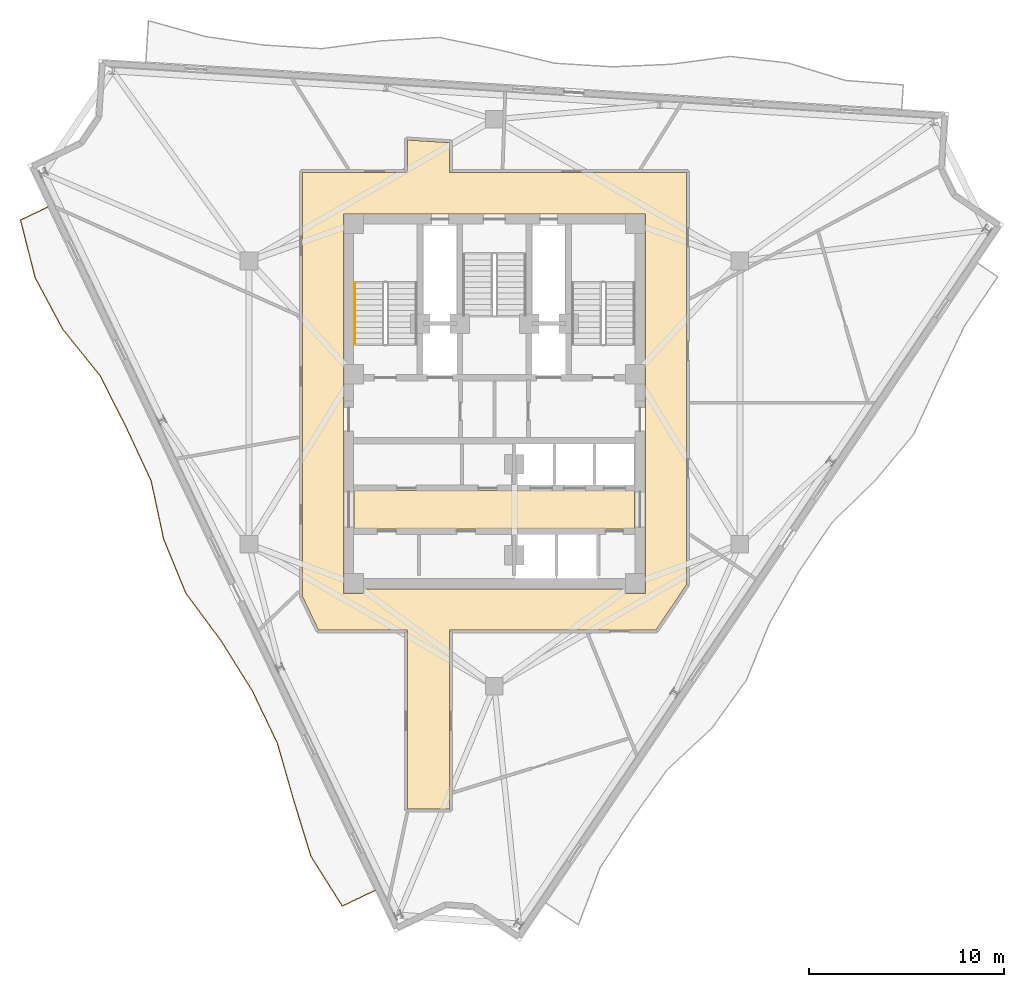
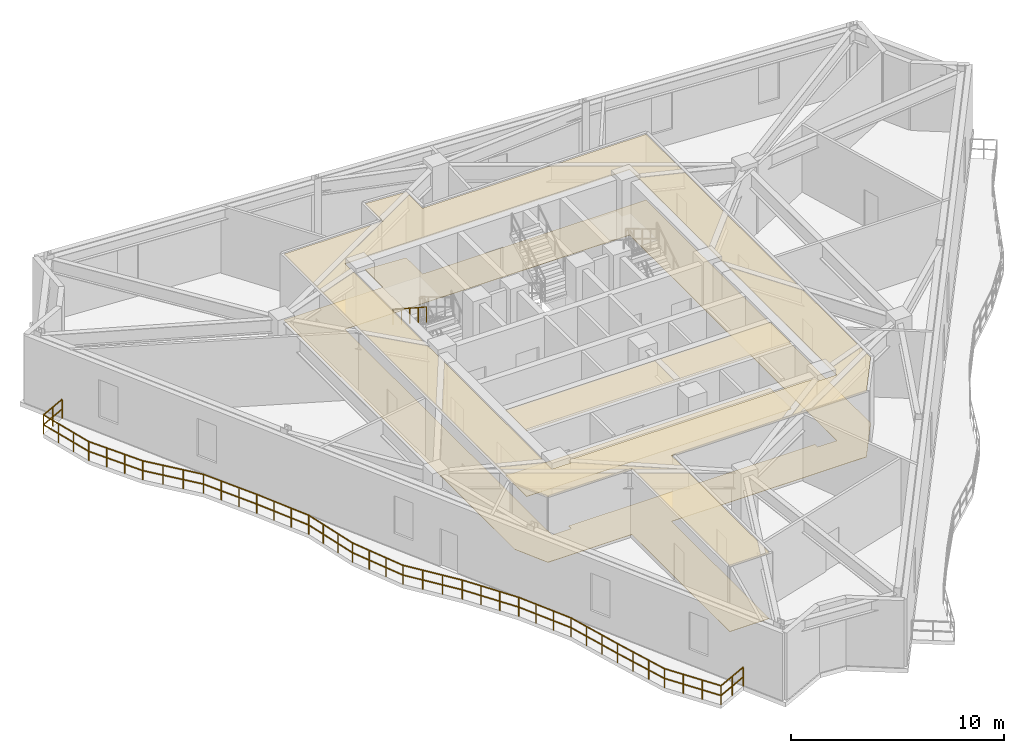
# One storey, part 9 of 11: 4 coverings, 2 railings.
"""IFC4 building model written with IfcOpenShell, lengths in metres."""

from ifc_helpers import new_model, si_unit, direction, frame, origin, origin_2d, place, context, subcontext, project, spatial, polyline, rectangle, outline, extrude, material, layer, layer_set, type_object, element, save


model = new_model("IFC4")

# Units and contexts
model_context = context("Model", 3, precision=1e-05, world=origin(), true_north=direction((0.0, 1.0)))
body_context = subcontext(model_context, "Body", "Model", "MODEL_VIEW")
ifc_project = project(units=[si_unit("LENGTHUNIT", "METRE"), si_unit("AREAUNIT", "SQUARE_METRE"), si_unit("VOLUMEUNIT", "CUBIC_METRE"), si_unit("PLANEANGLEUNIT", "RADIAN"), si_unit("MASSUNIT", "GRAM", prefix="KILO")], contexts=[model_context])

# Site, building, storey
site_placement = place(None, origin())
site = spatial("IfcSite", under=ifc_project, at=site_placement, CompositionType="ELEMENT")
building_placement = place(site_placement, origin())
building = spatial("IfcBuilding", under=site, at=building_placement, Name="Apsidion Concourse Tower", CompositionType="ELEMENT")
storey_placement = place(building_placement, frame((0.0, 0.0, 306.5)))
storey = spatial("IfcBuildingStorey", under=building, at=storey_placement, Name="L72", CompositionType="ELEMENT", Elevation=306.5)

# Coverings
ifc_material_1 = material(Name="Acoustic mineral fibre ceiling")
ifc_layer_1 = layer(ifc_material_1, 0.0400390625)
ifc_layer_set_1 = layer_set([ifc_layer_1], Name="Acoustic mineral fibre ceiling")
covering_type_1 = type_object("IfcCoveringType", Name="COV-CEIL-40", PredefinedType="CEILING", material=ifc_layer_set_1)
covering_1_placement = place(storey_placement, frame((0.0, 0.0, 3.75)))
element("IfcCovering", 1, at=covering_1_placement, inside=storey, type_object=covering_type_1, Name="L72 Acoustic Ceiling Grid 1", PredefinedType="CEILING", context=body_context, shape_type="SweptSolid", body=[
    extrude(outline(polyline([(-7.179931640625, -6.449951171875), (-7.179931640625, -4.47998046875), (7.179931640625, -4.47998046875), (7.179931640625, -6.449951171875), (-7.179931640625, -6.449951171875)])), origin(), (0.0, 0.0, 1.0), 0.0400390625),
])
covering_2_placement = place(storey_placement, frame((0.0, 0.0, 3.75)))
element("IfcCovering", 2, at=covering_2_placement, inside=storey, type_object=covering_type_1, Name="L72 Acoustic Ceiling Grid 2", PredefinedType="CEILING", context=body_context, shape_type="SweptSolid", body=[
    extrude(outline(polyline([(-9.006103515625, -11.6201171875), (-9.820068359375, -9.9189453125), (-9.820068359375, 11.77001953125), (-4.449951171875, 11.77001953125), (-4.449951171875, 13.4423828125), (-2.300048828125, 13.30810546875), (-2.300048828125, 11.77001953125), (9.820068359375, 11.77001953125), (9.820068359375, -9.323974609375), (8.271240234375, -11.6201171875), (-2.300048828125, -11.6201171875), (-2.300048828125, -20.800048828125), (-4.449951171875, -20.800048828125), (-4.449951171875, -11.6201171875), (-9.006103515625, -11.6201171875)]), holes=[polyline([(7.699951171875, 9.669921875), (6.699951171875, 9.669921875), (-2.300048828125, 9.669921875), (-4.449951171875, 9.669921875), (-6.699951171875, 9.669921875), (-7.699951171875, 9.669921875), (-7.719970703125, 9.669921875), (-7.719970703125, 9.64990234375), (-7.719970703125, 8.64990234375), (-7.719970703125, 1.949951171875), (-7.719970703125, 0.949951171875), (-7.719970703125, -8.75), (-7.719970703125, -9.52001953125), (-7.719970703125, -9.75), (-7.719970703125, -9.751953125), (-7.719482421875, -9.75390625), (-7.718994140625, -9.755859375), (-7.718505859375, -9.7578125), (-7.717529296875, -9.759521484375), (-7.716552734375, -9.760986328125), (-7.715576171875, -9.7626953125), (-7.714111328125, -9.76416015625), (-7.712646484375, -9.765380859375), (-7.711181640625, -9.7666015625), (-7.70947265625, -9.767578125), (-7.707763671875, -9.7685546875), (-7.705810546875, -9.76904296875), (-7.703857421875, -9.76953125), (-7.701904296875, -9.77001953125), (-7.699951171875, -9.77001953125), (-6.699951171875, -9.77001953125), (-6.697998046875, -9.77001953125), (-6.696044921875, -9.76953125), (-6.694091796875, -9.76904296875), (-6.6923828125, -9.7685546875), (-6.690673828125, -9.767578125), (-6.68896484375, -9.7666015625), (-6.687255859375, -9.765380859375), (-6.685791015625, -9.76416015625), (-6.6845703125, -9.7626953125), (-6.683349609375, -9.760986328125), (-6.682373046875, -9.759521484375), (-6.681396484375, -9.7578125), (-6.680908203125, -9.755859375), (-6.680419921875, -9.75390625), (-6.68017578125, -9.751953125), (-6.679931640625, -9.75), (-6.679931640625, -9.52001953125), (-4.449951171875, -9.52001953125), (-2.300048828125, -9.52001953125), (6.679931640625, -9.52001953125), (6.679931640625, -9.75), (6.68017578125, -9.751953125), (6.680419921875, -9.75390625), (6.680908203125, -9.755859375), (6.681396484375, -9.7578125), (6.682373046875, -9.759521484375), (6.683349609375, -9.760986328125), (6.6845703125, -9.7626953125), (6.685791015625, -9.76416015625), (6.687255859375, -9.765380859375), (6.68896484375, -9.7666015625), (6.690673828125, -9.767578125), (6.6923828125, -9.7685546875), (6.694091796875, -9.76904296875), (6.696044921875, -9.76953125), (6.697998046875, -9.77001953125), (6.699951171875, -9.77001953125), (7.699951171875, -9.77001953125), (7.701904296875, -9.77001953125), (7.703857421875, -9.76953125), (7.705810546875, -9.76904296875), (7.707763671875, -9.7685546875), (7.70947265625, -9.767578125), (7.711181640625, -9.7666015625), (7.712646484375, -9.765380859375), (7.714111328125, -9.76416015625), (7.715576171875, -9.7626953125), (7.716552734375, -9.760986328125), (7.717529296875, -9.759521484375), (7.718505859375, -9.7578125), (7.718994140625, -9.755859375), (7.719482421875, -9.75390625), (7.719970703125, -9.751953125), (7.719970703125, -9.75), (7.719970703125, -9.52001953125), (7.719970703125, -8.75), (7.719970703125, 0.949951171875), (7.719970703125, 1.949951171875), (7.719970703125, 8.64990234375), (7.719970703125, 9.64990234375), (7.719970703125, 9.669921875), (7.699951171875, 9.669921875)])]), origin(), (0.0, 0.0, 1.0), 0.0400390625),
])
ifc_material_2 = material(Name="Honed travertine floor finish", Category="masonry")
ifc_layer_2 = layer(ifc_material_2, 0.02001953125)
ifc_layer_set_2 = layer_set([ifc_layer_2], Name="Honed travertine floor finish")
covering_type_2 = type_object("IfcCoveringType", Name="COV-FLOR-20", PredefinedType="FLOORING", material=ifc_layer_set_2)
covering_3_placement = place(storey_placement, origin())
element("IfcCovering", 3, at=covering_3_placement, inside=storey, type_object=covering_type_2, Name="L72 Honed Travertine Floor Finish 1", PredefinedType="FLOORING", context=body_context, shape_type="SweptSolid", body=[
    extrude(outline(polyline([(-7.179931640625, -6.449951171875), (-7.179931640625, -4.47998046875), (7.179931640625, -4.47998046875), (7.179931640625, -6.449951171875), (-7.179931640625, -6.449951171875)])), origin(), (0.0, 0.0, 1.0), 0.02001953125),
])
covering_4_placement = place(storey_placement, origin())
element("IfcCovering", 4, at=covering_4_placement, inside=storey, type_object=covering_type_2, Name="L72 Honed Travertine Floor Finish 2", PredefinedType="FLOORING", context=body_context, shape_type="SweptSolid", body=[
    extrude(outline(polyline([(-9.006103515625, -11.6201171875), (-9.820068359375, -9.9189453125), (-9.820068359375, 11.77001953125), (-4.449951171875, 11.77001953125), (-4.449951171875, 13.4423828125), (-2.300048828125, 13.30810546875), (-2.300048828125, 11.77001953125), (9.820068359375, 11.77001953125), (9.820068359375, -9.323974609375), (8.271240234375, -11.6201171875), (-2.300048828125, -11.6201171875), (-2.300048828125, -20.800048828125), (-4.449951171875, -20.800048828125), (-4.449951171875, -11.6201171875), (-9.006103515625, -11.6201171875)]), holes=[polyline([(7.699951171875, 9.669921875), (6.699951171875, 9.669921875), (-2.300048828125, 9.669921875), (-4.449951171875, 9.669921875), (-6.699951171875, 9.669921875), (-7.699951171875, 9.669921875), (-7.719970703125, 9.669921875), (-7.719970703125, 9.64990234375), (-7.719970703125, 8.64990234375), (-7.719970703125, 1.949951171875), (-7.719970703125, 0.949951171875), (-7.719970703125, -8.75), (-7.719970703125, -9.52001953125), (-7.719970703125, -9.75), (-7.719970703125, -9.751953125), (-7.719482421875, -9.75390625), (-7.718994140625, -9.755859375), (-7.718505859375, -9.7578125), (-7.717529296875, -9.759521484375), (-7.716552734375, -9.760986328125), (-7.715576171875, -9.7626953125), (-7.714111328125, -9.76416015625), (-7.712646484375, -9.765380859375), (-7.711181640625, -9.7666015625), (-7.70947265625, -9.767578125), (-7.707763671875, -9.7685546875), (-7.705810546875, -9.76904296875), (-7.703857421875, -9.76953125), (-7.701904296875, -9.77001953125), (-7.699951171875, -9.77001953125), (-6.699951171875, -9.77001953125), (-6.697998046875, -9.77001953125), (-6.696044921875, -9.76953125), (-6.694091796875, -9.76904296875), (-6.6923828125, -9.7685546875), (-6.690673828125, -9.767578125), (-6.68896484375, -9.7666015625), (-6.687255859375, -9.765380859375), (-6.685791015625, -9.76416015625), (-6.6845703125, -9.7626953125), (-6.683349609375, -9.760986328125), (-6.682373046875, -9.759521484375), (-6.681396484375, -9.7578125), (-6.680908203125, -9.755859375), (-6.680419921875, -9.75390625), (-6.68017578125, -9.751953125), (-6.679931640625, -9.75), (-6.679931640625, -9.52001953125), (-4.449951171875, -9.52001953125), (-2.300048828125, -9.52001953125), (6.679931640625, -9.52001953125), (6.679931640625, -9.75), (6.68017578125, -9.751953125), (6.680419921875, -9.75390625), (6.680908203125, -9.755859375), (6.681396484375, -9.7578125), (6.682373046875, -9.759521484375), (6.683349609375, -9.760986328125), (6.6845703125, -9.7626953125), (6.685791015625, -9.76416015625), (6.687255859375, -9.765380859375), (6.68896484375, -9.7666015625), (6.690673828125, -9.767578125), (6.6923828125, -9.7685546875), (6.694091796875, -9.76904296875), (6.696044921875, -9.76953125), (6.697998046875, -9.77001953125), (6.699951171875, -9.77001953125), (7.699951171875, -9.77001953125), (7.701904296875, -9.77001953125), (7.703857421875, -9.76953125), (7.705810546875, -9.76904296875), (7.707763671875, -9.7685546875), (7.70947265625, -9.767578125), (7.711181640625, -9.7666015625), (7.712646484375, -9.765380859375), (7.714111328125, -9.76416015625), (7.715576171875, -9.7626953125), (7.716552734375, -9.760986328125), (7.717529296875, -9.759521484375), (7.718505859375, -9.7578125), (7.718994140625, -9.755859375), (7.719482421875, -9.75390625), (7.719970703125, -9.751953125), (7.719970703125, -9.75), (7.719970703125, -9.52001953125), (7.719970703125, -8.75), (7.719970703125, 0.949951171875), (7.719970703125, 1.949951171875), (7.719970703125, 8.64990234375), (7.719970703125, 9.64990234375), (7.719970703125, 9.669921875), (7.699951171875, 9.669921875)])]), origin(), (0.0, 0.0, 1.0), 0.02001953125),
])

# Railings
ifc_material_3 = material(Name="Brushed stainless steel 316", Category="steel")
railing_type_1 = type_object("IfcRailingType", Name="RL-BAL-1120", PredefinedType="BALUSTRADE", material=ifc_material_3)
railing_1_placement = place(storey_placement, frame((-6.1181640625, -24.96630859375, 0.0)))
element("IfcRailing", 5, at=railing_1_placement, inside=storey, type_object=railing_type_1, Name="L72 Face 1 Rippling Balcony Balustrade", PredefinedType="BALUSTRADE", context=body_context, shape_type="SweptSolid", body=[
    extrude(rectangle(XDim=0.048095703125, YDim=0.048095703125, at=origin_2d()), frame((0.0, 0.0, 1.09619140625), z_axis=(-0.902105179039, -0.431516217483, 0.0), x_axis=(0.431516217483, -0.902105179039, 0.0)), (0.0, 0.0, 1.0), 1.849609375),
    extrude(rectangle(XDim=0.048095703125, YDim=0.048095703125, at=origin_2d()), frame((0.0, 0.0, 0.5361328125), z_axis=(-0.902105179039, -0.431516217483, 0.0), x_axis=(0.431516217483, -0.902105179039, 0.0)), (0.0, 0.0, 1.0), 1.849609375),
    extrude(rectangle(XDim=0.048095703125, YDim=0.048095703125, at=origin_2d()), frame((-1.66845703125, -0.798095703125, 1.09619140625), z_axis=(-0.533283218557, 0.84593676407, 0.0), x_axis=(-0.84593676407, -0.533283218557, 0.0)), (0.0, 0.0, 1.0), 3.003173828125),
    extrude(rectangle(XDim=0.048095703125, YDim=0.048095703125, at=origin_2d()), frame((-1.66845703125, -0.798095703125, 0.5361328125), z_axis=(-0.533283218557, 0.84593676407, 0.0), x_axis=(-0.84593676407, -0.533283218557, 0.0)), (0.0, 0.0, 1.0), 3.003173828125),
    extrude(rectangle(XDim=0.048095703125, YDim=0.048095703125, at=origin_2d()), frame((-3.27001953125, 1.742431640625, 1.09619140625), z_axis=(-0.29418824351, 0.955747496665, 0.0), x_axis=(-0.955747496665, -0.29418824351, 0.0)), (0.0, 0.0, 1.0), 3.015869140625),
    extrude(rectangle(XDim=0.048095703125, YDim=0.048095703125, at=origin_2d()), frame((-3.27001953125, 1.742431640625, 0.5361328125), z_axis=(-0.29418824351, 0.955747496665, 0.0), x_axis=(-0.955747496665, -0.29418824351, 0.0)), (0.0, 0.0, 1.0), 3.015869140625),
    extrude(rectangle(XDim=0.048095703125, YDim=0.048095703125, at=origin_2d()), frame((-4.1572265625, 4.624755859375, 1.09619140625), z_axis=(-0.275243307136, 0.961374600183, 0.0), x_axis=(-0.961374600183, -0.275243307136, 0.0)), (0.0, 0.0, 1.0), 3.025634765625),
    extrude(rectangle(XDim=0.048095703125, YDim=0.048095703125, at=origin_2d()), frame((-4.1572265625, 4.624755859375, 0.5361328125), z_axis=(-0.275243307136, 0.961374600183, 0.0), x_axis=(-0.961374600183, -0.275243307136, 0.0)), (0.0, 0.0, 1.0), 3.025634765625),
    extrude(rectangle(XDim=0.048095703125, YDim=0.048095703125, at=origin_2d()), frame((-4.989990234375, 7.533447265625, 1.09619140625), z_axis=(-0.431562646754, 0.902082968428, 0.0), x_axis=(-0.902082968428, -0.431562646754, 0.0)), (0.0, 0.0, 1.0), 2.98291015625),
    extrude(rectangle(XDim=0.048095703125, YDim=0.048095703125, at=origin_2d()), frame((-4.989990234375, 7.533447265625, 0.5361328125), z_axis=(-0.431562646754, 0.902082968428, 0.0), x_axis=(-0.902082968428, -0.431562646754, 0.0)), (0.0, 0.0, 1.0), 2.98291015625),
    extrude(rectangle(XDim=0.048095703125, YDim=0.048095703125, at=origin_2d()), frame((-6.27734375, 10.224365234375, 1.09619140625), z_axis=(-0.529450545118, 0.84834080432, 0.0), x_axis=(-0.84834080432, -0.529450545118, 0.0)), (0.0, 0.0, 1.0), 3.001953125),
    extrude(rectangle(XDim=0.048095703125, YDim=0.048095703125, at=origin_2d()), frame((-6.27734375, 10.224365234375, 0.5361328125), z_axis=(-0.529450545118, 0.84834080432, 0.0), x_axis=(-0.84834080432, -0.529450545118, 0.0)), (0.0, 0.0, 1.0), 3.001953125),
    extrude(rectangle(XDim=0.048095703125, YDim=0.048095703125, at=origin_2d()), frame((-7.86669921875, 12.77099609375, 1.09619140625), z_axis=(-0.595025755714, 0.803706631823, 0.0), x_axis=(-0.803706631823, -0.595025755714, 0.0)), (0.0, 0.0, 1.0), 3.038330078125),
    extrude(rectangle(XDim=0.048095703125, YDim=0.048095703125, at=origin_2d()), frame((-7.86669921875, 12.77099609375, 0.5361328125), z_axis=(-0.595025755714, 0.803706631823, 0.0), x_axis=(-0.803706631823, -0.595025755714, 0.0)), (0.0, 0.0, 1.0), 3.038330078125),
    extrude(rectangle(XDim=0.048095703125, YDim=0.048095703125, at=origin_2d()), frame((-9.674560546875, 15.212890625, 1.09619140625), z_axis=(-0.379463102391, 0.92520687088, 0.0), x_axis=(-0.92520687088, -0.379463102391, 0.0)), (0.0, 0.0, 1.0), 2.98779296875),
    extrude(rectangle(XDim=0.048095703125, YDim=0.048095703125, at=origin_2d()), frame((-9.674560546875, 15.212890625, 0.5361328125), z_axis=(-0.379463102391, 0.92520687088, 0.0), x_axis=(-0.92520687088, -0.379463102391, 0.0)), (0.0, 0.0, 1.0), 2.98779296875),
    extrude(rectangle(XDim=0.048095703125, YDim=0.048095703125, at=origin_2d()), frame((-10.808349609375, 17.977294921875, 1.09619140625), z_axis=(-0.211143664027, 0.977455038936, 0.0), x_axis=(-0.977455038936, -0.211143664027, 0.0)), (0.0, 0.0, 1.0), 3.06640625),
    extrude(rectangle(XDim=0.048095703125, YDim=0.048095703125, at=origin_2d()), frame((-10.808349609375, 17.977294921875, 0.5361328125), z_axis=(-0.211143664027, 0.977455038936, 0.0), x_axis=(-0.977455038936, -0.211143664027, 0.0)), (0.0, 0.0, 1.0), 3.06640625),
    extrude(rectangle(XDim=0.048095703125, YDim=0.048095703125, at=origin_2d()), frame((-11.455810546875, 20.974609375, 1.09619140625), z_axis=(-0.422060893145, 0.906567483686, 0.0), x_axis=(-0.906567483686, -0.422060893145, 0.0)), (0.0, 0.0, 1.0), 2.983154296875),
    extrude(rectangle(XDim=0.048095703125, YDim=0.048095703125, at=origin_2d()), frame((-11.455810546875, 20.974609375, 0.5361328125), z_axis=(-0.422060893145, 0.906567483686, 0.0), x_axis=(-0.906567483686, -0.422060893145, 0.0)), (0.0, 0.0, 1.0), 2.983154296875),
    extrude(rectangle(XDim=0.048095703125, YDim=0.048095703125, at=origin_2d()), frame((-12.71484375, 23.678955078125, 1.09619140625), z_axis=(-0.450614307317, 0.892718738484, 0.0), x_axis=(-0.892718738484, -0.450614307317, 0.0)), (0.0, 0.0, 1.0), 2.983642578125),
    extrude(rectangle(XDim=0.048095703125, YDim=0.048095703125, at=origin_2d()), frame((-12.71484375, 23.678955078125, 0.5361328125), z_axis=(-0.450614307317, 0.892718738484, 0.0), x_axis=(-0.892718738484, -0.450614307317, 0.0)), (0.0, 0.0, 1.0), 2.983642578125),
    extrude(rectangle(XDim=0.048095703125, YDim=0.048095703125, at=origin_2d()), frame((-14.059326171875, 26.342529296875, 1.09619140625), z_axis=(-0.6268396037, 0.779148324283, 0.0), x_axis=(-0.779148324283, -0.6268396037, 0.0)), (0.0, 0.0, 1.0), 3.064697265625),
    extrude(rectangle(XDim=0.048095703125, YDim=0.048095703125, at=origin_2d()), frame((-14.059326171875, 26.342529296875, 0.5361328125), z_axis=(-0.6268396037, 0.779148324283, 0.0), x_axis=(-0.779148324283, -0.6268396037, 0.0)), (0.0, 0.0, 1.0), 3.064697265625),
    extrude(rectangle(XDim=0.048095703125, YDim=0.048095703125, at=origin_2d()), frame((-15.98046875, 28.73046875, 1.09619140625), z_axis=(-0.471411259094, 0.881913501881, 0.0), x_axis=(-0.881913501881, -0.471411259094, 0.0)), (0.0, 0.0, 1.0), 2.986083984375),
    extrude(rectangle(XDim=0.048095703125, YDim=0.048095703125, at=origin_2d()), frame((-15.98046875, 28.73046875, 0.5361328125), z_axis=(-0.471411259094, 0.881913501881, 0.0), x_axis=(-0.881913501881, -0.471411259094, 0.0)), (0.0, 0.0, 1.0), 2.986083984375),
    extrude(rectangle(XDim=0.048095703125, YDim=0.048095703125, at=origin_2d()), frame((-17.38818359375, 31.364013671875, 1.09619140625), z_axis=(-0.245630914754, 0.969363427058, 0.0), x_axis=(-0.969363427058, -0.245630914754, 0.0)), (0.0, 0.0, 1.0), 3.04248046875),
    extrude(rectangle(XDim=0.048095703125, YDim=0.048095703125, at=origin_2d()), frame((-17.38818359375, 31.364013671875, 0.5361328125), z_axis=(-0.245630914754, 0.969363427058, 0.0), x_axis=(-0.969363427058, -0.245630914754, 0.0)), (0.0, 0.0, 1.0), 3.04248046875),
    extrude(rectangle(XDim=0.048095703125, YDim=0.048095703125, at=origin_2d()), frame((-18.135498046875, 34.313232421875, 1.09619140625), z_axis=(0.902072903897, 0.431583683722, 0.0), x_axis=(-0.431583683722, 0.902072903897, 0.0)), (0.0, 0.0, 1.0), 1.550048828125),
    extrude(rectangle(XDim=0.048095703125, YDim=0.048095703125, at=origin_2d()), frame((-18.135498046875, 34.313232421875, 0.5361328125), z_axis=(0.902072903897, 0.431583683722, 0.0), x_axis=(-0.431583683722, 0.902072903897, 0.0)), (0.0, 0.0, 1.0), 1.550048828125),
    extrude(rectangle(XDim=0.0419921875, YDim=0.0419921875, at=origin_2d()), origin(), (0.0, 0.0, 1.0), 1.072021484375),
    extrude(rectangle(XDim=0.0419921875, YDim=0.0419921875, at=origin_2d()), frame((-0.834228515625, -0.39892578125, 0.0)), (0.0, 0.0, 1.0), 1.072021484375),
    extrude(rectangle(XDim=0.0419921875, YDim=0.0419921875, at=origin_2d()), frame((-1.66845703125, -0.798095703125, 0.0)), (0.0, 0.0, 1.0), 1.072021484375),
    extrude(rectangle(XDim=0.0419921875, YDim=0.0419921875, at=origin_2d()), frame((-2.202392578125, 0.048828125, 0.0)), (0.0, 0.0, 1.0), 1.072021484375),
    extrude(rectangle(XDim=0.0419921875, YDim=0.0419921875, at=origin_2d()), frame((-2.736083984375, 0.8955078125, 0.0)), (0.0, 0.0, 1.0), 1.072021484375),
    extrude(rectangle(XDim=0.0419921875, YDim=0.0419921875, at=origin_2d()), frame((-3.27001953125, 1.742431640625, 0.0)), (0.0, 0.0, 1.0), 1.072021484375),
    extrude(rectangle(XDim=0.0419921875, YDim=0.0419921875, at=origin_2d()), frame((-3.565673828125, 2.703125, 0.0)), (0.0, 0.0, 1.0), 1.072021484375),
    extrude(rectangle(XDim=0.0419921875, YDim=0.0419921875, at=origin_2d()), frame((-3.861572265625, 3.6640625, 0.0)), (0.0, 0.0, 1.0), 1.072021484375),
    extrude(rectangle(XDim=0.0419921875, YDim=0.0419921875, at=origin_2d()), frame((-4.1572265625, 4.624755859375, 0.0)), (0.0, 0.0, 1.0), 1.072021484375),
    extrude(rectangle(XDim=0.0419921875, YDim=0.0419921875, at=origin_2d()), frame((-4.434814453125, 5.59423828125, 0.0)), (0.0, 0.0, 1.0), 1.072021484375),
    extrude(rectangle(XDim=0.0419921875, YDim=0.0419921875, at=origin_2d()), frame((-4.71240234375, 6.56396484375, 0.0)), (0.0, 0.0, 1.0), 1.072021484375),
    extrude(rectangle(XDim=0.0419921875, YDim=0.0419921875, at=origin_2d()), frame((-4.989990234375, 7.533447265625, 0.0)), (0.0, 0.0, 1.0), 1.072021484375),
    extrude(rectangle(XDim=0.0419921875, YDim=0.0419921875, at=origin_2d()), frame((-5.419189453125, 8.430419921875, 0.0)), (0.0, 0.0, 1.0), 1.072021484375),
    extrude(rectangle(XDim=0.0419921875, YDim=0.0419921875, at=origin_2d()), frame((-5.84814453125, 9.327392578125, 0.0)), (0.0, 0.0, 1.0), 1.072021484375),
    extrude(rectangle(XDim=0.0419921875, YDim=0.0419921875, at=origin_2d()), frame((-6.27734375, 10.224365234375, 0.0)), (0.0, 0.0, 1.0), 1.072021484375),
    extrude(rectangle(XDim=0.0419921875, YDim=0.0419921875, at=origin_2d()), frame((-6.80712890625, 11.0732421875, 0.0)), (0.0, 0.0, 1.0), 1.072021484375),
    extrude(rectangle(XDim=0.0419921875, YDim=0.0419921875, at=origin_2d()), frame((-7.3369140625, 11.922119140625, 0.0)), (0.0, 0.0, 1.0), 1.072021484375),
    extrude(rectangle(XDim=0.0419921875, YDim=0.0419921875, at=origin_2d()), frame((-7.86669921875, 12.77099609375, 0.0)), (0.0, 0.0, 1.0), 1.072021484375),
    extrude(rectangle(XDim=0.0419921875, YDim=0.0419921875, at=origin_2d()), frame((-8.46923828125, 13.5849609375, 0.0)), (0.0, 0.0, 1.0), 1.072021484375),
    extrude(rectangle(XDim=0.0419921875, YDim=0.0419921875, at=origin_2d()), frame((-9.072021484375, 14.39892578125, 0.0)), (0.0, 0.0, 1.0), 1.072021484375),
    extrude(rectangle(XDim=0.0419921875, YDim=0.0419921875, at=origin_2d()), frame((-9.674560546875, 15.212890625, 0.0)), (0.0, 0.0, 1.0), 1.072021484375),
    extrude(rectangle(XDim=0.0419921875, YDim=0.0419921875, at=origin_2d()), frame((-10.052490234375, 16.13427734375, 0.0)), (0.0, 0.0, 1.0), 1.072021484375),
    extrude(rectangle(XDim=0.0419921875, YDim=0.0419921875, at=origin_2d()), frame((-10.430419921875, 17.055908203125, 0.0)), (0.0, 0.0, 1.0), 1.072021484375),
    extrude(rectangle(XDim=0.0419921875, YDim=0.0419921875, at=origin_2d()), frame((-10.808349609375, 17.977294921875, 0.0)), (0.0, 0.0, 1.0), 1.072021484375),
    extrude(rectangle(XDim=0.0419921875, YDim=0.0419921875, at=origin_2d()), frame((-11.024169921875, 18.976318359375, 0.0)), (0.0, 0.0, 1.0), 1.072021484375),
    extrude(rectangle(XDim=0.0419921875, YDim=0.0419921875, at=origin_2d()), frame((-11.239990234375, 19.9755859375, 0.0)), (0.0, 0.0, 1.0), 1.072021484375),
    extrude(rectangle(XDim=0.0419921875, YDim=0.0419921875, at=origin_2d()), frame((-11.455810546875, 20.974609375, 0.0)), (0.0, 0.0, 1.0), 1.072021484375),
    extrude(rectangle(XDim=0.0419921875, YDim=0.0419921875, at=origin_2d()), frame((-11.87548828125, 21.8759765625, 0.0)), (0.0, 0.0, 1.0), 1.072021484375),
    extrude(rectangle(XDim=0.0419921875, YDim=0.0419921875, at=origin_2d()), frame((-12.295166015625, 22.777587890625, 0.0)), (0.0, 0.0, 1.0), 1.072021484375),
    extrude(rectangle(XDim=0.0419921875, YDim=0.0419921875, at=origin_2d()), frame((-12.71484375, 23.678955078125, 0.0)), (0.0, 0.0, 1.0), 1.072021484375),
    extrude(rectangle(XDim=0.0419921875, YDim=0.0419921875, at=origin_2d()), frame((-13.1630859375, 24.56689453125, 0.0)), (0.0, 0.0, 1.0), 1.072021484375),
    extrude(rectangle(XDim=0.0419921875, YDim=0.0419921875, at=origin_2d()), frame((-13.611083984375, 25.45458984375, 0.0)), (0.0, 0.0, 1.0), 1.072021484375),
    extrude(rectangle(XDim=0.0419921875, YDim=0.0419921875, at=origin_2d()), frame((-14.059326171875, 26.342529296875, 0.0)), (0.0, 0.0, 1.0), 1.072021484375),
    extrude(rectangle(XDim=0.0419921875, YDim=0.0419921875, at=origin_2d()), frame((-14.69970703125, 27.138427734375, 0.0)), (0.0, 0.0, 1.0), 1.072021484375),
    extrude(rectangle(XDim=0.0419921875, YDim=0.0419921875, at=origin_2d()), frame((-15.340087890625, 27.9345703125, 0.0)), (0.0, 0.0, 1.0), 1.072021484375),
    extrude(rectangle(XDim=0.0419921875, YDim=0.0419921875, at=origin_2d()), frame((-15.98046875, 28.73046875, 0.0)), (0.0, 0.0, 1.0), 1.072021484375),
    extrude(rectangle(XDim=0.0419921875, YDim=0.0419921875, at=origin_2d()), frame((-16.44970703125, 29.6083984375, 0.0)), (0.0, 0.0, 1.0), 1.072021484375),
    extrude(rectangle(XDim=0.0419921875, YDim=0.0419921875, at=origin_2d()), frame((-16.9189453125, 30.486083984375, 0.0)), (0.0, 0.0, 1.0), 1.072021484375),
    extrude(rectangle(XDim=0.0419921875, YDim=0.0419921875, at=origin_2d()), frame((-17.38818359375, 31.364013671875, 0.0)), (0.0, 0.0, 1.0), 1.072021484375),
    extrude(rectangle(XDim=0.0419921875, YDim=0.0419921875, at=origin_2d()), frame((-17.63720703125, 32.34716796875, 0.0)), (0.0, 0.0, 1.0), 1.072021484375),
    extrude(rectangle(XDim=0.0419921875, YDim=0.0419921875, at=origin_2d()), frame((-17.886474609375, 33.330078125, 0.0)), (0.0, 0.0, 1.0), 1.072021484375),
    extrude(rectangle(XDim=0.0419921875, YDim=0.0419921875, at=origin_2d()), frame((-18.135498046875, 34.313232421875, 0.0)), (0.0, 0.0, 1.0), 1.072021484375),
    extrude(rectangle(XDim=0.0419921875, YDim=0.0419921875, at=origin_2d()), frame((-17.4365234375, 34.647705078125, 0.0)), (0.0, 0.0, 1.0), 1.072021484375),
    extrude(rectangle(XDim=0.0419921875, YDim=0.0419921875, at=origin_2d()), frame((-16.7373046875, 34.982177734375, 0.0)), (0.0, 0.0, 1.0), 1.072021484375),
])
railing_type_2 = type_object("IfcRailingType", Name="RL-HAND-900", PredefinedType="HANDRAIL", material=ifc_material_3)
railing_2_placement = place(storey_placement, frame((-7.14990234375, 6.135009765625, 2.220947265625)))
element("IfcRailing", 6, at=railing_2_placement, inside=storey, type_object=railing_type_2, Name="L72 ST1 stair handrail 2", PredefinedType="HANDRAIL", context=body_context, shape_type="SweptSolid", body=[
    extrude(rectangle(XDim=0.048095703125, YDim=0.048095703125, at=origin_2d()), frame((0.0, 0.0, 0.8759765625), z_axis=(0.0, -0.836970762213, 0.547247606848), x_axis=(1.0, 0.0, 0.0)), (0.0, 0.0, 1.0), 3.74560546875),
    extrude(rectangle(XDim=0.0419921875, YDim=0.0419921875, at=origin_2d()), origin(), (0.0, 0.0, 1.0), 0.851806640625),
    extrude(rectangle(XDim=0.0419921875, YDim=0.0419921875, at=origin_2d()), frame((0.0, -0.78369140625, 0.512451171875)), (0.0, 0.0, 1.0), 0.851806640625),
    extrude(rectangle(XDim=0.0419921875, YDim=0.0419921875, at=origin_2d()), frame((0.0, -1.5673828125, 1.02490234375)), (0.0, 0.0, 1.0), 0.851806640625),
    extrude(rectangle(XDim=0.0419921875, YDim=0.0419921875, at=origin_2d()), frame((0.0, -2.351318359375, 1.537353515625)), (0.0, 0.0, 1.0), 0.851806640625),
    extrude(rectangle(XDim=0.0419921875, YDim=0.0419921875, at=origin_2d()), frame((0.0, -3.135009765625, 2.0498046875)), (0.0, 0.0, 1.0), 0.851806640625),
])

save(model, "model.ifc")
